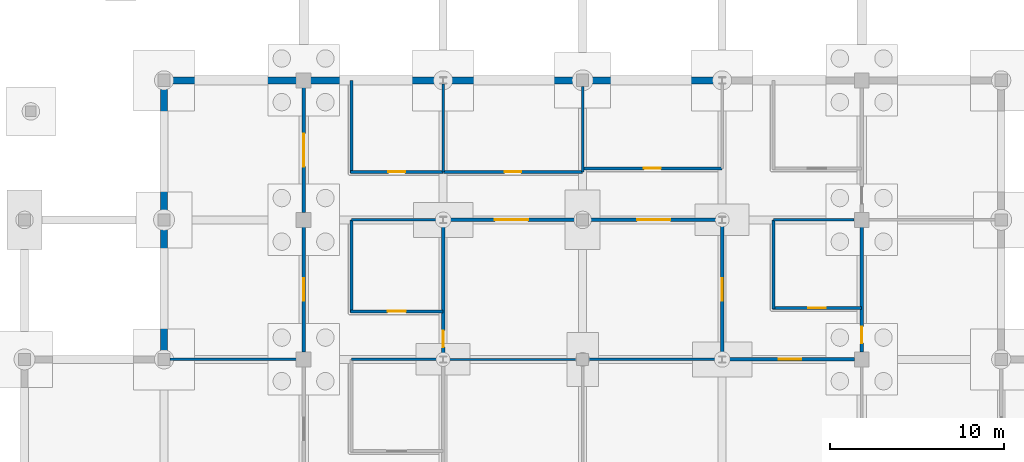
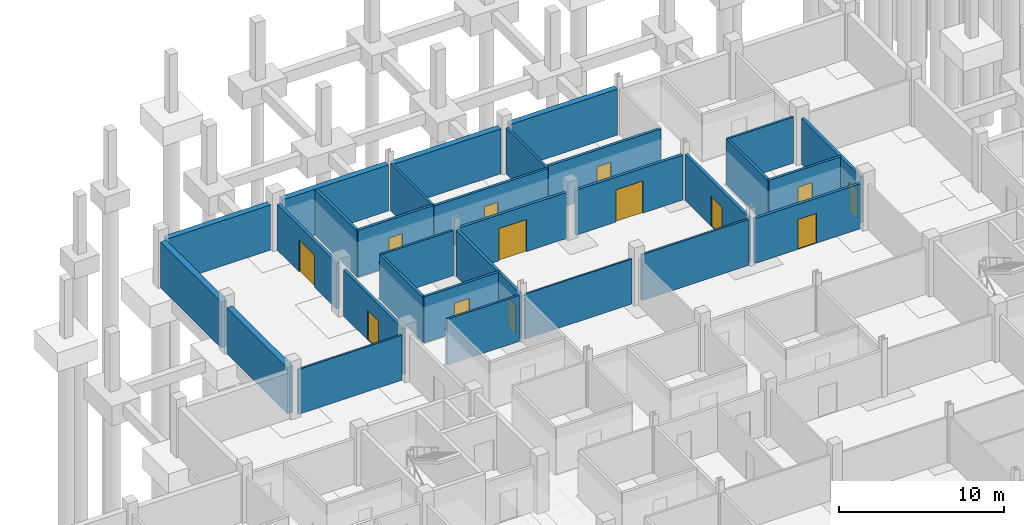
# One storey, part 34 of 48: 30 walls, 13 doors, 13 openings.
"""IFC4 building model written with IfcOpenShell, lengths in metres."""

from ifc_helpers import new_model, si_unit, derived_unit, direction, frame, frame_2d, origin, place, context, subcontext, project, spatial, rectangle, extrude, material, layer, layer_set, type_object, element, fill, save


model = new_model("IFC4")

# Units and contexts
model_context = context("Model", 3, precision=1e-05, world=origin(), true_north=direction((0.0, 1.0)))
body_context = subcontext(model_context, "Body", "Model", "MODEL_VIEW")
ifc_project = project(units=[si_unit("LENGTHUNIT", "METRE"), si_unit("AREAUNIT", "SQUARE_METRE"), si_unit("VOLUMEUNIT", "CUBIC_METRE"), si_unit("PLANEANGLEUNIT", "RADIAN"), si_unit("MASSUNIT", "GRAM", prefix="KILO"), derived_unit("THERMALTRANSMITTANCEUNIT", [(si_unit("MASSUNIT", "GRAM", prefix="KILO"), 1), (si_unit("TIMEUNIT", "SECOND"), -3), (si_unit("THERMODYNAMICTEMPERATUREUNIT", "KELVIN"), -1)])], contexts=[model_context])

# Site, building, storey
site_placement = place(None, origin())
site = spatial("IfcSite", under=ifc_project, at=site_placement, CompositionType="ELEMENT")
building_placement = place(site_placement, origin())
building = spatial("IfcBuilding", under=site, at=building_placement, Name="Veyamyaing Civic Hall", CompositionType="ELEMENT")
storey_placement = place(building_placement, frame((0.0, 0.0, -4.2900390625)))
storey = spatial("IfcBuildingStorey", under=building, at=storey_placement, Name="B1", CompositionType="ELEMENT", Elevation=-4.2900390625)

# Walls
ifc_material_1 = material(Name="Concrete C40/50", Category="concrete")
ifc_layer_1 = layer(ifc_material_1, 0.39990234375, Name="Concrete C40/50")
ifc_layer_set_1 = layer_set([ifc_layer_1], Name="Concrete C40/50")
wall_type_1 = type_object("IfcWallType", Name="WT-01", PredefinedType="SHEAR", material=ifc_layer_set_1)
wall_1_placement = place(storey_placement, frame((64.0, 64.3349609375, 0.0), z_axis=(0.0, 0.0, 1.0), x_axis=(0.0, 1.0, 0.0)))
element("IfcWall", 1, at=wall_1_placement, inside=storey, type_object=wall_type_1, Name="Basement retaining wall WT-01 W 9.9", PredefinedType="SHEAR", context=body_context, shape_type="SweptSolid", body=[
    extrude(rectangle(XDim=7.330078125, YDim=0.39990234375, at=frame_2d((3.6650390625, 0.0))), origin(), (0.0, 0.0, 1.0), 3.400146484375),
])
wall_2_placement = place(storey_placement, frame((64.3349609375, 80.0, 0.0), z_axis=(0.0, 0.0, 1.0), x_axis=(1.0, 0.0, 0.0)))
element("IfcWall", 2, at=wall_2_placement, inside=storey, type_object=wall_type_1, Name="Basement retaining wall WT-01 N 9.10", PredefinedType="SHEAR", context=body_context, shape_type="SweptSolid", body=[
    extrude(rectangle(XDim=7.255126953125, YDim=0.39990234375, at=frame_2d((3.62744140625, 0.0))), origin(), (0.0, 0.0, 1.0), 3.3330078125),
])
wall_3_placement = place(storey_placement, frame((64.0, 72.3349609375, 0.0), z_axis=(0.0, 0.0, 1.0), x_axis=(0.0, 1.0, 0.0)))
element("IfcWall", 3, at=wall_3_placement, inside=storey, type_object=wall_type_1, Name="Basement retaining wall WT-01 W 9.10", PredefinedType="SHEAR", context=body_context, shape_type="SweptSolid", body=[
    extrude(rectangle(XDim=7.330078125, YDim=0.39990234375, at=frame_2d((3.6650390625, 0.0))), origin(), (0.0, 0.0, 1.0), 3.408935546875),
])
wall_4_placement = place(storey_placement, frame((72.409912109375, 80.0, 0.0), z_axis=(0.0, 0.0, 1.0), x_axis=(1.0, 0.0, 0.0)))
element("IfcWall", 4, at=wall_4_placement, inside=storey, type_object=wall_type_1, Name="Basement retaining wall WT-01 N 10.10", PredefinedType="SHEAR", context=body_context, shape_type="SweptSolid", body=[
    extrude(rectangle(XDim=7.406005859375, YDim=0.39990234375, at=frame_2d((3.703125, 0.0))), origin(), (0.0, 0.0, 1.0), 3.401123046875),
])
wall_5_placement = place(storey_placement, frame((80.18408203125, 80.0, 0.0), z_axis=(0.0, 0.0, 1.0), x_axis=(1.0, 0.0, 0.0)))
element("IfcWall", 5, at=wall_5_placement, inside=storey, type_object=wall_type_1, Name="Basement retaining wall WT-01 N 11.10", PredefinedType="SHEAR", context=body_context, shape_type="SweptSolid", body=[
    extrude(rectangle(XDim=7.48095703125, YDim=0.39990234375, at=frame_2d((3.740478515625, 0.0))), origin(), (0.0, 0.0, 1.0), 3.323974609375),
])
wall_6_placement = place(storey_placement, frame((88.3349609375, 80.0, 0.0), z_axis=(0.0, 0.0, 1.0), x_axis=(1.0, 0.0, 0.0)))
element("IfcWall", 6, at=wall_6_placement, inside=storey, type_object=wall_type_1, Name="Basement retaining wall WT-01 N 12.10", PredefinedType="SHEAR", context=body_context, shape_type="SweptSolid", body=[
    extrude(rectangle(XDim=7.48095703125, YDim=0.39990234375, at=frame_2d((3.740478515625, 0.0))), origin(), (0.0, 0.0, 1.0), 3.400146484375),
])

# Wall, opening, door
ifc_layer_2 = layer(ifc_material_1, 0.199951171875, Name="Concrete C40/50")
ifc_layer_set_2 = layer_set([ifc_layer_2], Name="Concrete C40/50")
wall_type_2 = type_object("IfcWallType", Name="WT-06", PredefinedType="PARTITIONING", material=ifc_layer_set_2)
wall_7_placement = place(storey_placement, frame((72.0, 64.4150390625, 0.0), z_axis=(0.0, 0.0, 1.0), x_axis=(0.0, 1.0, 0.0)))
wall_7 = element("IfcWall", 7, at=wall_7_placement, inside=storey, type_object=wall_type_2, Name="Interior partition wall WT-06 B1.22", PredefinedType="PARTITIONING", context=body_context, shape_type="SweptSolid", body=[
    extrude(rectangle(XDim=7.169921875, YDim=0.199951171875, at=frame_2d((3.5849609375, 0.0))), origin(), (0.0, 0.0, 1.0), 3.402099609375),
])
opening_1_placement = place(wall_7_placement, frame((2.93505859375, 0.0, 0.0)))
opening_1 = element("IfcOpeningElement", 8, at=opening_1_placement, cuts=wall_7, Name="Opening D-18", PredefinedType="OPENING", context=body_context, shape_type="SweptSolid", body=[
    extrude(rectangle(XDim=1.300048828125, YDim=2.199951171875, at=frame_2d((0.64990234375, 1.10009765625))), frame((0.0, 0.10986328125, 0.0), z_axis=(0.0, -1.0, 0.0), x_axis=(1.0, 0.0, 0.0)), (0.0, 0.0, 1.0), 0.219970703125),
])
ifc_material_2 = material(Name="Anodised aluminium 6063-T6", Category="aluminium")
door_type_1 = type_object("IfcDoorType", Name="D-18", OperationType="DOUBLE_DOOR_SINGLE_SWING", PredefinedType="DOOR", material=ifc_material_2)
door_1_placement = place(opening_1_placement, origin())
door_1 = element("IfcDoor", 9, at=door_1_placement, inside=storey, type_object=door_type_1, Name="Interior door D-18 B1.22", OperationType="DOUBLE_DOOR_SINGLE_SWING", OverallHeight=2.199951171875, OverallWidth=1.300048828125, PredefinedType="DOOR", context=body_context, shape_type="SweptSolid", body=[
    extrude(rectangle(XDim=1.300048828125, YDim=2.199951171875, at=frame_2d((0.64990234375, 1.10009765625))), frame((0.0, 0.02490234375, 0.0), z_axis=(0.0, -1.0, 0.0), x_axis=(1.0, 0.0, 0.0)), (0.0, 0.0, 1.0), 0.050048828125),
])
fill(opening_1, door_1)

wall_8_placement = place(storey_placement, frame((72.0, 72.4150390625, 0.0), z_axis=(0.0, 0.0, 1.0), x_axis=(0.0, 1.0, 0.0)))
wall_8 = element("IfcWall", 10, at=wall_8_placement, inside=storey, type_object=wall_type_2, Name="Interior partition wall WT-06 B1.23", PredefinedType="PARTITIONING", context=body_context, shape_type="SweptSolid", body=[
    extrude(rectangle(XDim=7.169921875, YDim=0.199951171875, at=frame_2d((3.5849609375, 0.0))), origin(), (0.0, 0.0, 1.0), 3.39404296875),
])
opening_2_placement = place(wall_8_placement, frame((2.635009765625, 0.0, 0.0)))
opening_2 = element("IfcOpeningElement", 11, at=opening_2_placement, cuts=wall_8, Name="Opening D-31", PredefinedType="OPENING", context=body_context, shape_type="SweptSolid", body=[
    extrude(rectangle(XDim=1.89990234375, YDim=2.3798828125, at=frame_2d((0.949951171875, 1.18994140625))), frame((0.0, 0.10986328125, 0.0), z_axis=(0.0, -1.0, 0.0), x_axis=(1.0, 0.0, 0.0)), (0.0, 0.0, 1.0), 0.219970703125),
])
ifc_material_3 = material(Name="Teak-veneered acoustic timber", Category="wood")
door_type_2 = type_object("IfcDoorType", Name="D-31", OperationType="DOUBLE_DOOR_SINGLE_SWING", PredefinedType="DOOR", material=ifc_material_3)
door_2_placement = place(opening_2_placement, origin())
door_2 = element("IfcDoor", 12, at=door_2_placement, inside=storey, type_object=door_type_2, Name="Interior door D-31 B1.23", OperationType="DOUBLE_DOOR_SINGLE_SWING", OverallHeight=2.3798828125, OverallWidth=1.89990234375, PredefinedType="DOOR", context=body_context, shape_type="SweptSolid", body=[
    extrude(rectangle(XDim=1.89990234375, YDim=2.3798828125, at=frame_2d((0.949951171875, 1.18994140625))), frame((0.0, 0.02490234375, 0.0), z_axis=(0.0, -1.0, 0.0), x_axis=(1.0, 0.0, 0.0)), (0.0, 0.0, 1.0), 0.050048828125),
])
fill(opening_2, door_2)

wall_9_placement = place(storey_placement, frame((80.0, 64.18359375, 0.0), z_axis=(0.0, 0.0, 1.0), x_axis=(0.0, 1.0, 0.0)))
wall_9 = element("IfcWall", 13, at=wall_9_placement, inside=storey, type_object=wall_type_2, Name="Interior partition wall WT-06 B1.27", PredefinedType="PARTITIONING", context=body_context, shape_type="SweptSolid", body=[
    extrude(rectangle(XDim=7.6328125, YDim=0.199951171875, at=frame_2d((3.81640625, 0.0))), origin(), (0.0, 0.0, 1.0), 3.39404296875),
])
opening_3_placement = place(wall_9_placement, frame((0.52001953125, 0.0, 0.0)))
opening_3 = element("IfcOpeningElement", 14, at=opening_3_placement, cuts=wall_9, Name="Opening D-30", PredefinedType="OPENING", context=body_context, shape_type="SweptSolid", body=[
    extrude(rectangle(XDim=0.93994140625, YDim=2.1201171875, at=frame_2d((0.469970703125, 1.06005859375))), frame((0.0, 0.10986328125, 0.0), z_axis=(0.0, -1.0, 0.0), x_axis=(1.0, 0.0, 0.0)), (0.0, 0.0, 1.0), 0.219970703125),
])
door_type_3 = type_object("IfcDoorType", Name="D-30", OperationType="NOTDEFINED", PredefinedType="DOOR", material=ifc_material_3)
door_3_placement = place(opening_3_placement, frame((0.93994140625, 0.0, 0.0), z_axis=(0.0, 0.0, 1.0), x_axis=(-1.0, 0.0, 0.0)))
door_3 = element("IfcDoor", 15, at=door_3_placement, inside=storey, type_object=door_type_3, Name="Interior door D-30 B1.27", OperationType="SINGLE_SWING_RIGHT", OverallHeight=2.1201171875, OverallWidth=0.93994140625, PredefinedType="DOOR", context=body_context, shape_type="SweptSolid", body=[
    extrude(rectangle(XDim=0.93994140625, YDim=2.1201171875, at=frame_2d((0.469970703125, 1.06005859375))), frame((0.0, 0.02490234375, 0.0), z_axis=(0.0, -1.0, 0.0), x_axis=(1.0, 0.0, 0.0)), (0.0, 0.0, 1.0), 0.050048828125),
])
fill(opening_3, door_3)

wall_10_placement = place(storey_placement, frame((80.18896484375, 72.0, 0.0), z_axis=(0.0, 0.0, 1.0), x_axis=(1.0, 0.0, 0.0)))
wall_10 = element("IfcWall", 16, at=wall_10_placement, inside=storey, type_object=wall_type_2, Name="Interior partition wall WT-06 B1.35", PredefinedType="PARTITIONING", context=body_context, shape_type="SweptSolid", body=[
    extrude(rectangle(XDim=7.470947265625, YDim=0.199951171875, at=frame_2d((3.7353515625, 0.0))), origin(), (0.0, 0.0, 1.0), 3.39404296875),
])
opening_4_placement = place(wall_10_placement, frame((2.785400390625, 0.0, 0.0)))
opening_4 = element("IfcOpeningElement", 17, at=opening_4_placement, cuts=wall_10, Name="Opening D-31", PredefinedType="OPENING", context=body_context, shape_type="SweptSolid", body=[
    extrude(rectangle(XDim=1.89990234375, YDim=2.3798828125, at=frame_2d((0.949951171875, 1.18994140625))), frame((0.0, 0.10986328125, 0.0), z_axis=(0.0, -1.0, 0.0), x_axis=(1.0, 0.0, 0.0)), (0.0, 0.0, 1.0), 0.219970703125),
])
door_4_placement = place(opening_4_placement, frame((1.89990234375, 0.0, 0.0), z_axis=(0.0, 0.0, 1.0), x_axis=(-1.0, 0.0, 0.0)))
door_4 = element("IfcDoor", 18, at=door_4_placement, inside=storey, type_object=door_type_2, Name="Interior door D-31 B1.35", OperationType="DOUBLE_DOOR_SINGLE_SWING", OverallHeight=2.3798828125, OverallWidth=1.89990234375, PredefinedType="DOOR", context=body_context, shape_type="SweptSolid", body=[
    extrude(rectangle(XDim=1.89990234375, YDim=2.3798828125, at=frame_2d((0.949951171875, 1.18994140625))), frame((0.0, 0.02490234375, 0.0), z_axis=(0.0, -1.0, 0.0), x_axis=(1.0, 0.0, 0.0)), (0.0, 0.0, 1.0), 0.050048828125),
])
fill(opening_4, door_4)

wall_11_placement = place(storey_placement, frame((96.0, 64.18359375, 0.0), z_axis=(0.0, 0.0, 1.0), x_axis=(0.0, 1.0, 0.0)))
wall_11 = element("IfcWall", 19, at=wall_11_placement, inside=storey, type_object=wall_type_2, Name="Interior partition wall WT-06 B1.44", PredefinedType="PARTITIONING", context=body_context, shape_type="SweptSolid", body=[
    extrude(rectangle(XDim=7.6328125, YDim=0.199951171875, at=frame_2d((3.81640625, 0.0))), origin(), (0.0, 0.0, 1.0), 3.39306640625),
])
opening_5_placement = place(wall_11_placement, frame((3.16650390625, 0.0, 0.0)))
opening_5 = element("IfcOpeningElement", 20, at=opening_5_placement, cuts=wall_11, Name="Opening D-18", PredefinedType="OPENING", context=body_context, shape_type="SweptSolid", body=[
    extrude(rectangle(XDim=1.300048828125, YDim=2.199951171875, at=frame_2d((0.64990234375, 1.10009765625))), frame((0.0, 0.10986328125, 0.0), z_axis=(0.0, -1.0, 0.0), x_axis=(1.0, 0.0, 0.0)), (0.0, 0.0, 1.0), 0.219970703125),
])
door_5_placement = place(opening_5_placement, origin())
door_5 = element("IfcDoor", 21, at=door_5_placement, inside=storey, type_object=door_type_1, Name="Interior door D-18 B1.44", OperationType="DOUBLE_DOOR_SINGLE_SWING", OverallHeight=2.199951171875, OverallWidth=1.300048828125, PredefinedType="DOOR", context=body_context, shape_type="SweptSolid", body=[
    extrude(rectangle(XDim=1.300048828125, YDim=2.199951171875, at=frame_2d((0.64990234375, 1.10009765625))), frame((0.0, 0.02490234375, 0.0), z_axis=(0.0, -1.0, 0.0), x_axis=(1.0, 0.0, 0.0)), (0.0, 0.0, 1.0), 0.050048828125),
])
fill(opening_5, door_5)

wall_12_placement = place(storey_placement, frame((88.340087890625, 72.0, 0.0), z_axis=(0.0, 0.0, 1.0), x_axis=(1.0, 0.0, 0.0)))
wall_12 = element("IfcWall", 22, at=wall_12_placement, inside=storey, type_object=wall_type_2, Name="Interior partition wall WT-06 B1.45", PredefinedType="PARTITIONING", context=body_context, shape_type="SweptSolid", body=[
    extrude(rectangle(XDim=7.470947265625, YDim=0.199951171875, at=frame_2d((3.7353515625, 0.0))), origin(), (0.0, 0.0, 1.0), 3.317138671875),
])
opening_6_placement = place(wall_12_placement, frame((2.785400390625, 0.0, 0.0)))
opening_6 = element("IfcOpeningElement", 23, at=opening_6_placement, cuts=wall_12, Name="Opening D-31", PredefinedType="OPENING", context=body_context, shape_type="SweptSolid", body=[
    extrude(rectangle(XDim=1.89990234375, YDim=2.3798828125, at=frame_2d((0.949951171875, 1.18994140625))), frame((0.0, 0.10986328125, 0.0), z_axis=(0.0, -1.0, 0.0), x_axis=(1.0, 0.0, 0.0)), (0.0, 0.0, 1.0), 0.219970703125),
])
door_6_placement = place(opening_6_placement, frame((1.89990234375, 0.0, 0.0), z_axis=(0.0, 0.0, 1.0), x_axis=(-1.0, 0.0, 0.0)))
door_6 = element("IfcDoor", 24, at=door_6_placement, inside=storey, type_object=door_type_2, Name="Interior door D-31 B1.45", OperationType="DOUBLE_DOOR_SINGLE_SWING", OverallHeight=2.3798828125, OverallWidth=1.89990234375, PredefinedType="DOOR", context=body_context, shape_type="SweptSolid", body=[
    extrude(rectangle(XDim=1.89990234375, YDim=2.3798828125, at=frame_2d((0.949951171875, 1.18994140625))), frame((0.0, 0.02490234375, 0.0), z_axis=(0.0, -1.0, 0.0), x_axis=(1.0, 0.0, 0.0)), (0.0, 0.0, 1.0), 0.050048828125),
])
fill(opening_6, door_6)

wall_13_placement = place(storey_placement, frame((96.18896484375, 64.0, 0.0), z_axis=(0.0, 0.0, 1.0), x_axis=(1.0, 0.0, 0.0)))
wall_13 = element("IfcWall", 25, at=wall_13_placement, inside=storey, type_object=wall_type_2, Name="Interior partition wall WT-06 B1.54", PredefinedType="PARTITIONING", context=body_context, shape_type="SweptSolid", body=[
    extrude(rectangle(XDim=7.39599609375, YDim=0.199951171875, at=frame_2d((3.697998046875, 0.0))), origin(), (0.0, 0.0, 1.0), 3.317138671875),
])
opening_7_placement = place(wall_13_placement, frame((3.048095703125, 0.0, 0.0)))
opening_7 = element("IfcOpeningElement", 26, at=opening_7_placement, cuts=wall_13, Name="Opening D-18", PredefinedType="OPENING", context=body_context, shape_type="SweptSolid", body=[
    extrude(rectangle(XDim=1.300048828125, YDim=2.199951171875, at=frame_2d((0.64990234375, 1.10009765625))), frame((0.0, 0.10986328125, 0.0), z_axis=(0.0, -1.0, 0.0), x_axis=(1.0, 0.0, 0.0)), (0.0, 0.0, 1.0), 0.219970703125),
])
door_7_placement = place(opening_7_placement, frame((1.300048828125, 0.0, 0.0), z_axis=(0.0, 0.0, 1.0), x_axis=(-1.0, 0.0, 0.0)))
door_7 = element("IfcDoor", 27, at=door_7_placement, inside=storey, type_object=door_type_1, Name="Interior door D-18 B1.54", OperationType="DOUBLE_DOOR_SINGLE_SWING", OverallHeight=2.199951171875, OverallWidth=1.300048828125, PredefinedType="DOOR", context=body_context, shape_type="SweptSolid", body=[
    extrude(rectangle(XDim=1.300048828125, YDim=2.199951171875, at=frame_2d((0.64990234375, 1.10009765625))), frame((0.0, 0.02490234375, 0.0), z_axis=(0.0, -1.0, 0.0), x_axis=(1.0, 0.0, 0.0)), (0.0, 0.0, 1.0), 0.050048828125),
])
fill(opening_7, door_7)

wall_14_placement = place(storey_placement, frame((104.0, 64.4150390625, 0.0), z_axis=(0.0, 0.0, 1.0), x_axis=(0.0, 1.0, 0.0)))
wall_14 = element("IfcWall", 28, at=wall_14_placement, inside=storey, type_object=wall_type_2, Name="Interior partition wall WT-06 B1.55", PredefinedType="PARTITIONING", context=body_context, shape_type="SweptSolid", body=[
    extrude(rectangle(XDim=7.169921875, YDim=0.199951171875, at=frame_2d((3.5849609375, 0.0))), origin(), (0.0, 0.0, 1.0), 3.402099609375),
])
opening_8_placement = place(wall_14_placement, frame((0.52001953125, 0.0, 0.0)))
opening_8 = element("IfcOpeningElement", 29, at=opening_8_placement, cuts=wall_14, Name="Opening D-30", PredefinedType="OPENING", context=body_context, shape_type="SweptSolid", body=[
    extrude(rectangle(XDim=0.93994140625, YDim=2.1201171875, at=frame_2d((0.469970703125, 1.06005859375))), frame((0.0, 0.10986328125, 0.0), z_axis=(0.0, -1.0, 0.0), x_axis=(1.0, 0.0, 0.0)), (0.0, 0.0, 1.0), 0.219970703125),
])
door_8_placement = place(opening_8_placement, frame((0.93994140625, 0.0, 0.0), z_axis=(0.0, 0.0, 1.0), x_axis=(-1.0, 0.0, 0.0)))
door_8 = element("IfcDoor", 30, at=door_8_placement, inside=storey, type_object=door_type_3, Name="Interior door D-30 B1.55", OperationType="SINGLE_SWING_RIGHT", OverallHeight=2.1201171875, OverallWidth=0.93994140625, PredefinedType="DOOR", context=body_context, shape_type="SweptSolid", body=[
    extrude(rectangle(XDim=0.93994140625, YDim=2.1201171875, at=frame_2d((0.469970703125, 1.06005859375))), frame((0.0, 0.02490234375, 0.0), z_axis=(0.0, -1.0, 0.0), x_axis=(1.0, 0.0, 0.0)), (0.0, 0.0, 1.0), 0.050048828125),
])
fill(opening_8, door_8)

ifc_material_4 = material(Name="Gypsum board on acoustic steel stud", Category="steel")
ifc_layer_3 = layer(ifc_material_4, 0.175048828125, Name="Gypsum board on acoustic steel stud")
ifc_layer_set_3 = layer_set([ifc_layer_3], Name="Gypsum board on acoustic steel stud")
wall_type_3 = type_object("IfcWallType", Name="WT-07", PredefinedType="PARTITIONING", material=ifc_layer_set_3)
wall_15_placement = place(storey_placement, frame((74.699951171875, 66.75, 0.0), z_axis=(0.0, 0.0, 1.0), x_axis=(1.0, 0.0, 0.0)))
wall_15 = element("IfcWall", 31, at=wall_15_placement, inside=storey, type_object=wall_type_3, Name="Corridor gallery partition WT-07 B1.25.1", PredefinedType="PARTITIONING", context=body_context, shape_type="SweptSolid", body=[
    extrude(rectangle(XDim=5.280029296875, YDim=0.175048828125, at=frame_2d((2.64013671875, 0.0))), origin(), (0.0, 0.0, 1.0), 3.39404296875),
])
opening_9_placement = place(wall_15_placement, frame((2.1201171875, 0.0, 0.0)))
opening_9 = element("IfcOpeningElement", 32, at=opening_9_placement, cuts=wall_15, Name="Opening D-24", PredefinedType="OPENING", context=body_context, shape_type="SweptSolid", body=[
    extrude(rectangle(XDim=1.0400390625, YDim=2.179931640625, at=frame_2d((0.52001953125, 1.08984375))), frame((0.0, 0.097412109375, 0.0), z_axis=(0.0, -1.0, 0.0), x_axis=(1.0, 0.0, 0.0)), (0.0, 0.0, 1.0), 0.195068359375),
])
door_type_4 = type_object("IfcDoorType", Name="D-24", OperationType="NOTDEFINED", PredefinedType="DOOR", material=ifc_material_3)
door_9_placement = place(opening_9_placement, origin())
door_9 = element("IfcDoor", 33, at=door_9_placement, inside=storey, type_object=door_type_4, Name="Gallery office door D-24 B1.25", OperationType="SINGLE_SWING_LEFT", OverallHeight=2.179931640625, OverallWidth=1.0400390625, PredefinedType="DOOR", context=body_context, shape_type="SweptSolid", body=[
    extrude(rectangle(XDim=1.0400390625, YDim=2.179931640625, at=frame_2d((0.52001953125, 1.08984375))), frame((0.0, 0.02490234375, 0.0), z_axis=(0.0, -1.0, 0.0), x_axis=(1.0, 0.0, 0.0)), (0.0, 0.0, 1.0), 0.050048828125),
])
fill(opening_9, door_9)

# Wall
wall_16_placement = place(storey_placement, frame((74.75, 66.699951171875, 0.0), z_axis=(0.0, 0.0, 1.0), x_axis=(0.0, 1.0, 0.0)))
element("IfcWall", 34, at=wall_16_placement, inside=storey, type_object=wall_type_3, Name="Corridor gallery partition WT-07 B1.25.2", PredefinedType="PARTITIONING", context=body_context, shape_type="SweptSolid", body=[
    extrude(rectangle(XDim=5.280029296875, YDim=0.175048828125, at=frame_2d((2.64013671875, 0.0))), origin(), (0.0, 0.0, 1.0), 3.325927734375),
])

# Wall, opening, door
wall_17_placement = place(storey_placement, frame((80.02001953125, 74.75, 0.0), z_axis=(0.0, 0.0, 1.0), x_axis=(1.0, 0.0, 0.0)))
wall_17 = element("IfcWall", 35, at=wall_17_placement, inside=storey, type_object=wall_type_3, Name="Corridor gallery partition WT-07 B1.29.1", PredefinedType="PARTITIONING", context=body_context, shape_type="SweptSolid", body=[
    extrude(rectangle(XDim=7.9599609375, YDim=0.175048828125, at=frame_2d((3.97998046875, 0.0))), origin(), (0.0, 0.0, 1.0), 3.39306640625),
])
opening_10_placement = place(wall_17_placement, frame((3.510009765625, 0.0, 0.0)))
opening_10 = element("IfcOpeningElement", 36, at=opening_10_placement, cuts=wall_17, Name="Opening D-30", PredefinedType="OPENING", context=body_context, shape_type="SweptSolid", body=[
    extrude(rectangle(XDim=0.93994140625, YDim=2.1201171875, at=frame_2d((0.469970703125, 1.06005859375))), frame((0.0, 0.097412109375, 0.0), z_axis=(0.0, -1.0, 0.0), x_axis=(1.0, 0.0, 0.0)), (0.0, 0.0, 1.0), 0.195068359375),
])
door_10_placement = place(opening_10_placement, origin())
door_10 = element("IfcDoor", 37, at=door_10_placement, inside=storey, type_object=door_type_3, Name="Gallery office door D-30 B1.29", OperationType="SINGLE_SWING_LEFT", OverallHeight=2.1201171875, OverallWidth=0.93994140625, PredefinedType="DOOR", context=body_context, shape_type="SweptSolid", body=[
    extrude(rectangle(XDim=0.93994140625, YDim=2.1201171875, at=frame_2d((0.469970703125, 1.06005859375))), frame((0.0, 0.02490234375, 0.0), z_axis=(0.0, -1.0, 0.0), x_axis=(1.0, 0.0, 0.0)), (0.0, 0.0, 1.0), 0.050048828125),
])
fill(opening_10, door_10)

wall_18_placement = place(storey_placement, frame((98.89990234375, 66.949951171875, 0.0), z_axis=(0.0, 0.0, 1.0), x_axis=(1.0, 0.0, 0.0)))
wall_18 = element("IfcWall", 38, at=wall_18_placement, inside=storey, type_object=wall_type_3, Name="Corridor gallery partition WT-07 B1.33.1", PredefinedType="PARTITIONING", context=body_context, shape_type="SweptSolid", body=[
    extrude(rectangle(XDim=5.080078125, YDim=0.175048828125, at=frame_2d((2.5400390625, 0.0))), origin(), (0.0, 0.0, 1.0), 3.402099609375),
])
opening_11_placement = place(wall_18_placement, frame((2.030029296875, 0.0, 0.0)))
opening_11 = element("IfcOpeningElement", 39, at=opening_11_placement, cuts=wall_18, Name="Opening D-19", PredefinedType="OPENING", context=body_context, shape_type="SweptSolid", body=[
    extrude(rectangle(XDim=1.02001953125, YDim=2.199951171875, at=frame_2d((0.510009765625, 1.10009765625))), frame((0.0, 0.097412109375, 0.0), z_axis=(0.0, -1.0, 0.0), x_axis=(1.0, 0.0, 0.0)), (0.0, 0.0, 1.0), 0.195068359375),
])
door_type_5 = type_object("IfcDoorType", Name="D-19", OperationType="NOTDEFINED", PredefinedType="DOOR", material=ifc_material_3)
door_11_placement = place(opening_11_placement, origin())
door_11 = element("IfcDoor", 40, at=door_11_placement, inside=storey, type_object=door_type_5, Name="Gallery office door D-19 B1.33", OperationType="SINGLE_SWING_LEFT", OverallHeight=2.199951171875, OverallWidth=1.02001953125, PredefinedType="DOOR", context=body_context, shape_type="SweptSolid", body=[
    extrude(rectangle(XDim=1.02001953125, YDim=2.199951171875, at=frame_2d((0.510009765625, 1.10009765625))), frame((0.0, 0.02490234375, 0.0), z_axis=(0.0, -1.0, 0.0), x_axis=(1.0, 0.0, 0.0)), (0.0, 0.0, 1.0), 0.050048828125),
])
fill(opening_11, door_11)

# Walls
wall_19_placement = place(storey_placement, frame((98.949951171875, 66.89990234375, 0.0), z_axis=(0.0, 0.0, 1.0), x_axis=(0.0, 1.0, 0.0)))
element("IfcWall", 41, at=wall_19_placement, inside=storey, type_object=wall_type_3, Name="Corridor gallery partition WT-07 B1.33.2", PredefinedType="PARTITIONING", context=body_context, shape_type="SweptSolid", body=[
    extrude(rectangle(XDim=5.080078125, YDim=0.175048828125, at=frame_2d((2.5400390625, 0.0))), origin(), (0.0, 0.0, 1.0), 3.39306640625),
])
ifc_material_5 = material(Name="Gypsum board on steel stud", Category="steel")
ifc_layer_4 = layer(ifc_material_5, 0.14990234375, Name="Gypsum board on steel stud")
ifc_layer_set_4 = layer_set([ifc_layer_4], Name="Gypsum board on steel stud")
wall_type_4 = type_object("IfcWallType", Name="WT-08", PredefinedType="PARTITIONING", material=ifc_layer_set_4)
wall_20_placement = place(storey_placement, frame((74.75, 64.0, 0.0), z_axis=(0.0, 0.0, 1.0), x_axis=(1.0, 0.0, 0.0)))
element("IfcWall", 42, at=wall_20_placement, inside=storey, type_object=wall_type_4, Name="Gallery office end partition WT-08 B1.24.1", PredefinedType="PARTITIONING", context=body_context, shape_type="SweptSolid", body=[
    extrude(rectangle(XDim=5.041015625, YDim=0.14990234375, at=frame_2d((2.5205078125, 0.0))), origin(), (0.0, 0.0, 1.0), 3.39306640625),
])
wall_21_placement = place(storey_placement, frame((74.75, 72.0, 0.0), z_axis=(0.0, 0.0, 1.0), x_axis=(1.0, 0.0, 0.0)))
element("IfcWall", 43, at=wall_21_placement, inside=storey, type_object=wall_type_4, Name="Gallery office end partition WT-08 B1.25.1", PredefinedType="PARTITIONING", context=body_context, shape_type="SweptSolid", body=[
    extrude(rectangle(XDim=5.041015625, YDim=0.14990234375, at=frame_2d((2.5205078125, 0.0))), origin(), (0.0, 0.0, 1.0), 3.325927734375),
])
wall_22_placement = place(storey_placement, frame((80.0, 74.75, 0.0), z_axis=(0.0, 0.0, 1.0), x_axis=(0.0, 1.0, 0.0)))
element("IfcWall", 44, at=wall_22_placement, inside=storey, type_object=wall_type_4, Name="Gallery office end partition WT-08 B1.26.2", PredefinedType="PARTITIONING", context=body_context, shape_type="SweptSolid", body=[
    extrude(rectangle(XDim=5.04638671875, YDim=0.14990234375, at=frame_2d((2.523193359375, 0.0))), origin(), (0.0, 0.0, 1.0), 3.4609375),
])
wall_23_placement = place(storey_placement, frame((88.0, 74.75, 0.0), z_axis=(0.0, 0.0, 1.0), x_axis=(0.0, 1.0, 0.0)))
element("IfcWall", 45, at=wall_23_placement, inside=storey, type_object=wall_type_4, Name="Gallery office end partition WT-08 B1.29.2", PredefinedType="PARTITIONING", context=body_context, shape_type="SweptSolid", body=[
    extrude(rectangle(XDim=4.889892578125, YDim=0.14990234375, at=frame_2d((2.44482421875, 0.0))), origin(), (0.0, 0.0, 1.0), 3.39306640625),
])
wall_24_placement = place(storey_placement, frame((98.949951171875, 72.0, 0.0), z_axis=(0.0, 0.0, 1.0), x_axis=(1.0, 0.0, 0.0)))
element("IfcWall", 46, at=wall_24_placement, inside=storey, type_object=wall_type_4, Name="Gallery office end partition WT-08 B1.33.1", PredefinedType="PARTITIONING", context=body_context, shape_type="SweptSolid", body=[
    extrude(rectangle(XDim=4.614990234375, YDim=0.14990234375, at=frame_2d((2.3076171875, 0.0))), origin(), (0.0, 0.0, 1.0), 3.39306640625),
])
ifc_layer_5 = layer(ifc_material_5, 0.135009765625, Name="Gypsum board on steel stud")
ifc_layer_set_5 = layer_set([ifc_layer_5], Name="Gypsum board on steel stud")
wall_type_5 = type_object("IfcWallType", Name="WT-15", PredefinedType="PARTITIONING", material=ifc_layer_set_5)
wall_25_placement = place(storey_placement, frame((64.340087890625, 64.0, 0.0), z_axis=(0.0, 0.0, 1.0), x_axis=(1.0, 0.0, 0.0)))
element("IfcWall", 47, at=wall_25_placement, inside=storey, type_object=wall_type_5, Name="Interior partition wall WT-15 B1.21", PredefinedType="PARTITIONING", context=body_context, shape_type="SweptSolid", body=[
    extrude(rectangle(XDim=7.244873046875, YDim=0.135009765625, at=frame_2d((3.62255859375, 0.0))), origin(), (0.0, 0.0, 1.0), 3.317138671875),
])
ifc_layer_6 = layer(ifc_material_5, 0.1201171875, Name="Gypsum board on steel stud")
ifc_layer_set_6 = layer_set([ifc_layer_6], Name="Gypsum board on steel stud")
wall_type_6 = type_object("IfcWallType", Name="WT-16", PredefinedType="PARTITIONING", material=ifc_layer_set_6)
wall_26_placement = place(storey_placement, frame((80.18896484375, 64.0, 0.0), z_axis=(0.0, 0.0, 1.0), x_axis=(1.0, 0.0, 0.0)))
element("IfcWall", 48, at=wall_26_placement, inside=storey, type_object=wall_type_6, Name="Interior partition wall WT-16 B1.34", PredefinedType="PARTITIONING", context=body_context, shape_type="SweptSolid", body=[
    extrude(rectangle(XDim=7.470947265625, YDim=0.1201171875, at=frame_2d((3.7353515625, 0.0))), origin(), (0.0, 0.0, 1.0), 3.325927734375),
])

# Wall, opening, door
ifc_material_6 = material(Name="Gypsum board on double acoustic stud")
ifc_layer_7 = layer(ifc_material_6, 0.18505859375, Name="Gypsum board on double acoustic stud")
ifc_layer_set_7 = layer_set([ifc_layer_7], Name="Gypsum board on double acoustic stud")
wall_type_7 = type_object("IfcWallType", Name="WT-19", PredefinedType="PARTITIONING", material=ifc_layer_set_7)
wall_27_placement = place(storey_placement, frame((74.699951171875, 74.75, 0.0), z_axis=(0.0, 0.0, 1.0), x_axis=(1.0, 0.0, 0.0)))
wall_27 = element("IfcWall", 49, at=wall_27_placement, inside=storey, type_object=wall_type_7, Name="Corridor gallery partition WT-19 B1.26.1", PredefinedType="PARTITIONING", context=body_context, shape_type="SweptSolid", body=[
    extrude(rectangle(XDim=5.280029296875, YDim=0.18505859375, at=frame_2d((2.64013671875, 0.0))), origin(), (0.0, 0.0, 1.0), 3.4609375),
])
opening_12_placement = place(wall_27_placement, frame((2.159912109375, 0.0, 0.0)))
opening_12 = element("IfcOpeningElement", 50, at=opening_12_placement, cuts=wall_27, Name="Opening D-25", PredefinedType="OPENING", context=body_context, shape_type="SweptSolid", body=[
    extrude(rectangle(XDim=0.9599609375, YDim=2.139892578125, at=frame_2d((0.47998046875, 1.06982421875))), frame((0.0, 0.1025390625, 0.0), z_axis=(0.0, -1.0, 0.0), x_axis=(1.0, 0.0, 0.0)), (0.0, 0.0, 1.0), 0.205078125),
])
door_type_6 = type_object("IfcDoorType", Name="D-25", OperationType="NOTDEFINED", PredefinedType="DOOR", material=ifc_material_3)
door_12_placement = place(opening_12_placement, origin())
door_12 = element("IfcDoor", 51, at=door_12_placement, inside=storey, type_object=door_type_6, Name="Gallery office door D-25 B1.26", OperationType="SINGLE_SWING_RIGHT", OverallHeight=2.139892578125, OverallWidth=0.9599609375, PredefinedType="DOOR", context=body_context, shape_type="SweptSolid", body=[
    extrude(rectangle(XDim=0.9599609375, YDim=2.139892578125, at=frame_2d((0.47998046875, 1.06982421875))), frame((0.0, 0.02490234375, 0.0), z_axis=(0.0, -1.0, 0.0), x_axis=(1.0, 0.0, 0.0)), (0.0, 0.0, 1.0), 0.050048828125),
])
fill(opening_12, door_12)

# Wall
wall_28_placement = place(storey_placement, frame((74.75, 74.699951171875, 0.0), z_axis=(0.0, 0.0, 1.0), x_axis=(0.0, 1.0, 0.0)))
element("IfcWall", 52, at=wall_28_placement, inside=storey, type_object=wall_type_7, Name="Corridor gallery partition WT-19 B1.26.2", PredefinedType="PARTITIONING", context=body_context, shape_type="SweptSolid", body=[
    extrude(rectangle(XDim=5.280029296875, YDim=0.18505859375, at=frame_2d((2.64013671875, 0.0))), origin(), (0.0, 0.0, 1.0), 3.39404296875),
])

# Wall, opening, door
wall_29_placement = place(storey_placement, frame((88.02001953125, 74.949951171875, 0.0), z_axis=(0.0, 0.0, 1.0), x_axis=(1.0, 0.0, 0.0)))
wall_29 = element("IfcWall", 53, at=wall_29_placement, inside=storey, type_object=wall_type_7, Name="Corridor gallery partition WT-19 B1.32.1", PredefinedType="PARTITIONING", context=body_context, shape_type="SweptSolid", body=[
    extrude(rectangle(XDim=7.9599609375, YDim=0.18505859375, at=frame_2d((3.97998046875, 0.0))), origin(), (0.0, 0.0, 1.0), 3.39306640625),
])
opening_13_placement = place(wall_29_placement, frame((3.489990234375, 0.0, 0.0)))
opening_13 = element("IfcOpeningElement", 54, at=opening_13_placement, cuts=wall_29, Name="Opening D-14", PredefinedType="OPENING", context=body_context, shape_type="SweptSolid", body=[
    extrude(rectangle(XDim=0.97998046875, YDim=2.14990234375, at=frame_2d((0.489990234375, 1.074951171875))), frame((0.0, 0.1025390625, 0.0), z_axis=(0.0, -1.0, 0.0), x_axis=(1.0, 0.0, 0.0)), (0.0, 0.0, 1.0), 0.205078125),
])
door_type_7 = type_object("IfcDoorType", Name="D-14", OperationType="NOTDEFINED", PredefinedType="DOOR", material=ifc_material_3)
door_13_placement = place(opening_13_placement, origin())
door_13 = element("IfcDoor", 55, at=door_13_placement, inside=storey, type_object=door_type_7, Name="Gallery office door D-14 B1.32", OperationType="SINGLE_SWING_RIGHT", OverallHeight=2.14990234375, OverallWidth=0.97998046875, PredefinedType="DOOR", context=body_context, shape_type="SweptSolid", body=[
    extrude(rectangle(XDim=0.97998046875, YDim=2.14990234375, at=frame_2d((0.489990234375, 1.074951171875))), frame((0.0, 0.02490234375, 0.0), z_axis=(0.0, -1.0, 0.0), x_axis=(1.0, 0.0, 0.0)), (0.0, 0.0, 1.0), 0.050048828125),
])
fill(opening_13, door_13)

# Wall
ifc_layer_8 = layer(ifc_material_5, 0.14208984375, Name="Gypsum board on steel stud")
ifc_layer_set_8 = layer_set([ifc_layer_8], Name="Gypsum board on steel stud")
wall_type_8 = type_object("IfcWallType", Name="WT-20", PredefinedType="PARTITIONING", material=ifc_layer_set_8)
wall_30_placement = place(storey_placement, frame((88.340087890625, 64.0, 0.0), z_axis=(0.0, 0.0, 1.0), x_axis=(1.0, 0.0, 0.0)))
element("IfcWall", 56, at=wall_30_placement, inside=storey, type_object=wall_type_8, Name="Interior partition wall WT-20 B1.43", PredefinedType="PARTITIONING", context=body_context, shape_type="SweptSolid", body=[
    extrude(rectangle(XDim=7.470947265625, YDim=0.14208984375, at=frame_2d((3.7353515625, 0.0))), origin(), (0.0, 0.0, 1.0), 3.39404296875),
])

save(model, "model.ifc")
